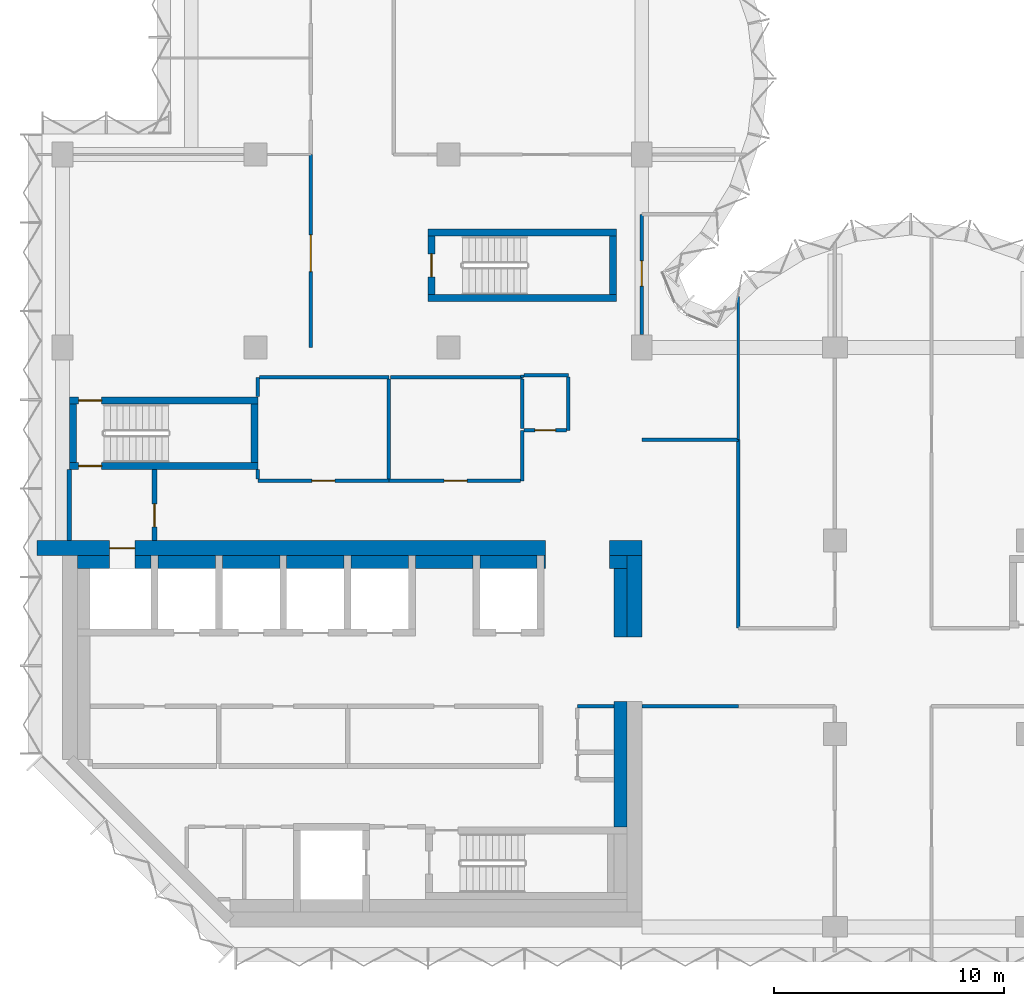
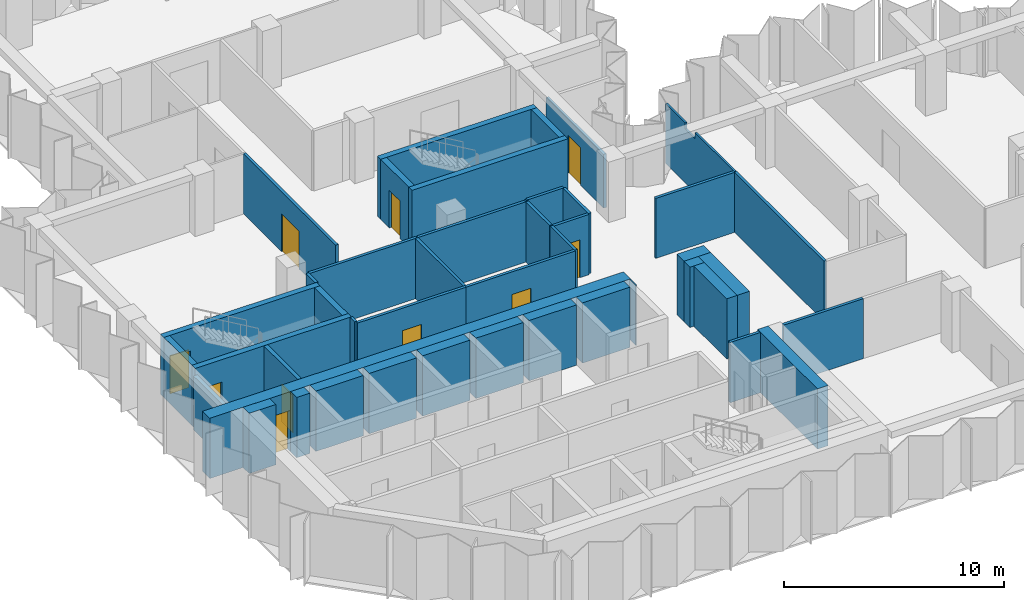
# One storey, part 6 of 10: 45 walls, 10 doors, 10 openings.
"""IFC4 building model written with IfcOpenShell, lengths in metres."""

from ifc_helpers import new_model, si_unit, direction, frame, frame_2d, origin, place, context, subcontext, project, spatial, polyline, rectangle, outline, extrude, material, layer, layer_set, type_object, element, fill, save


model = new_model("IFC4")

# Units and contexts
model_context = context("Model", 3, precision=1e-05, world=origin(), true_north=direction((0.0, 1.0)))
body_context = subcontext(model_context, "Body", "Model", "MODEL_VIEW")
ifc_project = project(units=[si_unit("LENGTHUNIT", "METRE"), si_unit("AREAUNIT", "SQUARE_METRE"), si_unit("VOLUMEUNIT", "CUBIC_METRE"), si_unit("PLANEANGLEUNIT", "RADIAN"), si_unit("MASSUNIT", "GRAM", prefix="KILO")], contexts=[model_context])

# Site, building, storey
site_placement = place(None, origin())
site = spatial("IfcSite", under=ifc_project, at=site_placement, CompositionType="ELEMENT")
building_placement = place(site_placement, origin())
building = spatial("IfcBuilding", under=site, at=building_placement, Name="Brevane Broadcast Tower", CompositionType="ELEMENT")
storey_placement = place(building_placement, frame((0.0, 0.0, 177.60009765625)))
storey = spatial("IfcBuildingStorey", under=building, at=storey_placement, Name="L44", CompositionType="ELEMENT", Elevation=177.60009765625)

# Walls
ifc_material_1 = material(Name="Concrete C32/40", Category="concrete")
ifc_layer_1 = layer(ifc_material_1, 0.550048828125)
ifc_layer_set_1 = layer_set([ifc_layer_1], Name="Core chase wall 550 mm")
wall_type_1 = type_object("IfcWallType", Name="Core chase wall 550 mm", PredefinedType="PARTITIONING", material=ifc_layer_set_1)
wall_1_placement = place(storey_placement, frame((24.27490234375, 12.60009765625, 0.0), z_axis=(0.0, 0.0, 1.0), x_axis=(0.0, 1.0, 0.0)))
element("IfcWall", 1, at=wall_1_placement, inside=storey, type_object=wall_type_1, Name="L44 chase wall LE2", PredefinedType="PARTITIONING", context=body_context, shape_type="SweptSolid", body=[
    extrude(rectangle(XDim=3.0, YDim=0.550048828125, at=frame_2d((1.5, 0.0))), origin(), (0.0, 0.0, 1.0), 3.349853515625),
])
wall_2_placement = place(storey_placement, frame((0.64990234375, 15.875, 0.0), z_axis=(0.0, 0.0, 1.0), x_axis=(1.0, 0.0, 0.0)))
element("IfcWall", 2, at=wall_2_placement, inside=storey, type_object=wall_type_1, Name="L44 chase wall LN0", PredefinedType="PARTITIONING", context=body_context, shape_type="SweptSolid", body=[
    extrude(rectangle(XDim=1.400146484375, YDim=0.550048828125, at=frame_2d((0.7001953125, 0.0))), origin(), (0.0, 0.0, 1.0), 3.349853515625),
])
wall_3_placement = place(storey_placement, frame((23.800048828125, 15.875, 0.0), z_axis=(0.0, 0.0, 1.0), x_axis=(1.0, 0.0, 0.0)))
element("IfcWall", 3, at=wall_3_placement, inside=storey, type_object=wall_type_1, Name="L44 chase wall LN2", PredefinedType="PARTITIONING", context=body_context, shape_type="SweptSolid", body=[
    extrude(rectangle(XDim=0.75, YDim=0.550048828125, at=frame_2d((0.375, 0.0))), origin(), (0.0, 0.0, 1.0), 3.349853515625),
])
wall_4_placement = place(storey_placement, frame((3.14990234375, 15.875, 0.0), z_axis=(0.0, 0.0, 1.0), x_axis=(1.0, 0.0, 0.0)))
element("IfcWall", 4, at=wall_4_placement, inside=storey, type_object=wall_type_1, Name="L44 chase wall LN1-1", PredefinedType="PARTITIONING", context=body_context, shape_type="SweptSolid", body=[
    extrude(rectangle(XDim=0.7001953125, YDim=0.550048828125, at=frame_2d((0.35009765625, 0.0))), origin(), (0.0, 0.0, 1.0), 3.349853515625),
])
for number, where, z_axis, x_axis, name in (
    (5, (4.14990234375, 15.875, 0.0), (0.0, 0.0, 1.0), (1.0, 0.0, 0.0), "L44 chase wall LN1-2-1"),
    (6, (6.949951171875, 15.875, 0.0), (0.0, 0.0, 1.0), (1.0, 0.0, 0.0), "L44 chase wall LN1-2-2-1"),
    (7, (9.75, 15.875, 0.0), (0.0, 0.0, 1.0), (1.0, 0.0, 0.0), "L44 chase wall LN1-2-2-2-1"),
    (8, (12.550048828125, 15.875, 0.0), (0.0, 0.0, 1.0), (1.0, 0.0, 0.0), "L44 chase wall LN1-2-2-2-2-1"),
    (9, (15.35009765625, 15.875, 0.0), (0.0, 0.0, 1.0), (1.0, 0.0, 0.0), "L44 chase wall LN1-2-2-2-2-2-1"),
    (10, (18.14990234375, 15.875, 0.0), (0.0, 0.0, 1.0), (1.0, 0.0, 0.0), "L44 chase wall LN1-2-2-2-2-2-2-1"),
):
    element("IfcWall", number, at=place(storey_placement, frame(where, z_axis=z_axis, x_axis=x_axis)), inside=storey, type_object=wall_type_1, Name=name, PredefinedType="PARTITIONING", context=body_context, shape_type="SweptSolid", body=[
        extrude(rectangle(XDim=2.5, YDim=0.550048828125, at=frame_2d((1.25, 0.0))), origin(), (0.0, 0.0, 1.0), 3.349853515625),
    ])
wall_5_placement = place(storey_placement, frame((20.949951171875, 15.875, 0.0), z_axis=(0.0, 0.0, 1.0), x_axis=(1.0, 0.0, 0.0)))
element("IfcWall", 11, at=wall_5_placement, inside=storey, type_object=wall_type_1, Name="L44 chase wall LN1-2-2-2-2-2-2-2", PredefinedType="PARTITIONING", context=body_context, shape_type="SweptSolid", body=[
    extrude(rectangle(XDim=0.050048828125, YDim=0.550048828125, at=frame_2d((0.02490234375, 0.0))), origin(), (0.0, 0.0, 1.0), 3.349853515625),
])
wall_6_placement = place(storey_placement, frame((24.27490234375, 4.35009765625, 0.0), z_axis=(0.0, 0.0, 1.0), x_axis=(0.0, 1.0, 0.0)))
element("IfcWall", 12, at=wall_6_placement, inside=storey, type_object=wall_type_1, Name="L44 chase wall LE1-2-2", PredefinedType="PARTITIONING", context=body_context, shape_type="SweptSolid", body=[
    extrude(rectangle(XDim=5.449951171875, YDim=0.550048828125, at=frame_2d((2.72509765625, 0.0))), origin(), (0.0, 0.0, 1.0), 3.349853515625),
])

# Wall, opening, door
ifc_material_2 = material(Name="Gypsum board on steel studs", Category="steel")
ifc_layer_2 = layer(ifc_material_2, 0.14990234375)
ifc_layer_set_2 = layer_set([ifc_layer_2], Name="Core fire partition 150 mm")
wall_type_2 = type_object("IfcWallType", Name="Core fire partition 150 mm", PredefinedType="PARTITIONING", material=ifc_layer_set_2)
wall_7_placement = place(storey_placement, frame((14.199951171875, 19.39990234375, 0.0), z_axis=(0.0, 0.0, 1.0), x_axis=(-1.0, 0.0, 0.0)))
wall_7 = element("IfcWall", 13, at=wall_7_placement, inside=storey, type_object=wall_type_2, Name="L44 partition wall P22", PredefinedType="PARTITIONING", context=body_context, shape_type="SweptSolid", body=[
    extrude(rectangle(XDim=5.699951171875, YDim=0.14990234375, at=frame_2d((2.85009765625, 0.0))), origin(), (0.0, 0.0, 1.0), 3.349853515625),
])
opening_1_placement = place(wall_7_placement, frame((2.35009765625, 0.0, 0.0)))
opening_1 = element("IfcOpeningElement", 14, at=opening_1_placement, cuts=wall_7, Name="Opening L44-K24", PredefinedType="OPENING", context=body_context, shape_type="SweptSolid", body=[
    extrude(rectangle(XDim=1.0, YDim=2.10009765625, at=frame_2d((0.5, 1.050048828125))), frame((0.0, 0.0849609375, 0.0), z_axis=(0.0, -1.0, 0.0), x_axis=(1.0, 0.0, 0.0)), (0.0, 0.0, 1.0), 0.169921875),
])
ifc_material_3 = material(Name="Steel", Category="steel")
door_type_1 = type_object("IfcDoorType", Name="Service room door 1000 x 2100", OperationType="SINGLE_SWING_LEFT", PredefinedType="DOOR", material=ifc_material_3)
door_1_placement = place(opening_1_placement, origin())
door_1 = element("IfcDoor", 15, at=door_1_placement, inside=storey, type_object=door_type_1, Name="Door L44-K24", OperationType="SINGLE_SWING_LEFT", OverallHeight=2.10009765625, OverallWidth=1.0, PredefinedType="DOOR", context=body_context, shape_type="SweptSolid", body=[
    extrude(rectangle(XDim=1.0, YDim=2.10009765625, at=frame_2d((0.5, 1.050048828125))), frame((0.0, 0.02490234375, 0.0), z_axis=(0.0, -1.0, 0.0), x_axis=(1.0, 0.0, 0.0)), (0.0, 0.0, 1.0), 0.050048828125),
])
fill(opening_1, door_1)

# Walls
wall_8_placement = place(storey_placement, frame((8.5, 19.47509765625, 0.0), z_axis=(0.0, 0.0, 1.0), x_axis=(0.0, 1.0, 0.0)))
element("IfcWall", 16, at=wall_8_placement, inside=storey, type_object=wall_type_2, Name="L44 partition wall P23", PredefinedType="PARTITIONING", context=body_context, shape_type="SweptSolid", body=[
    extrude(rectangle(XDim=0.412841796875, YDim=0.14990234375, at=frame_2d((0.20654296875, 0.0))), origin(), (0.0, 0.0, 1.0), 3.349853515625),
])
wall_9_placement = place(storey_placement, frame((8.5, 23.06201171875, 0.0), z_axis=(0.0, 0.0, 1.0), x_axis=(0.0, 1.0, 0.0)))
element("IfcWall", 17, at=wall_9_placement, inside=storey, type_object=wall_type_2, Name="L44 partition wall P24", PredefinedType="PARTITIONING", context=body_context, shape_type="SweptSolid", body=[
    extrude(rectangle(XDim=0.837890625, YDim=0.14990234375, at=frame_2d((0.4189453125, 0.0))), origin(), (0.0, 0.0, 1.0), 3.349853515625),
])
wall_10_placement = place(storey_placement, frame((8.574951171875, 23.89990234375, 0.0), z_axis=(0.0, 0.0, 1.0), x_axis=(1.0, 0.0, 0.0)))
element("IfcWall", 18, at=wall_10_placement, inside=storey, type_object=wall_type_2, Name="L44 partition wall P25", PredefinedType="PARTITIONING", context=body_context, shape_type="SweptSolid", body=[
    extrude(rectangle(XDim=5.625, YDim=0.14990234375, at=frame_2d((2.8125, 0.0))), origin(), (0.0, 0.0, 1.0), 3.349853515625),
])
wall_11_placement = place(storey_placement, frame((20.0, 21.60009765625, 0.0), z_axis=(0.0, 0.0, 1.0), x_axis=(0.0, -1.0, 0.0)))
element("IfcWall", 19, at=wall_11_placement, inside=storey, type_object=wall_type_2, Name="L44 partition wall P26", PredefinedType="PARTITIONING", context=body_context, shape_type="SweptSolid", body=[
    extrude(rectangle(XDim=2.2001953125, YDim=0.14990234375, at=frame_2d((1.10009765625, 0.0))), origin(), (0.0, 0.0, 1.0), 3.349853515625),
])

# Wall, opening, door
wall_12_placement = place(storey_placement, frame((19.925048828125, 19.39990234375, 0.0), z_axis=(0.0, 0.0, 1.0), x_axis=(-1.0, 0.0, 0.0)))
wall_12 = element("IfcWall", 20, at=wall_12_placement, inside=storey, type_object=wall_type_2, Name="L44 partition wall P27", PredefinedType="PARTITIONING", context=body_context, shape_type="SweptSolid", body=[
    extrude(rectangle(XDim=5.72509765625, YDim=0.14990234375, at=frame_2d((2.862548828125, 0.0))), origin(), (0.0, 0.0, 1.0), 3.349853515625),
])
opening_2_placement = place(wall_12_placement, frame((2.324951171875, 0.0, 0.0)))
opening_2 = element("IfcOpeningElement", 21, at=opening_2_placement, cuts=wall_12, Name="Opening L44-K25", PredefinedType="OPENING", context=body_context, shape_type="SweptSolid", body=[
    extrude(rectangle(XDim=1.0, YDim=2.10009765625, at=frame_2d((0.5, 1.050048828125))), frame((0.0, 0.0849609375, 0.0), z_axis=(0.0, -1.0, 0.0), x_axis=(1.0, 0.0, 0.0)), (0.0, 0.0, 1.0), 0.169921875),
])
door_2_placement = place(opening_2_placement, origin())
door_2 = element("IfcDoor", 22, at=door_2_placement, inside=storey, type_object=door_type_1, Name="Door L44-K25", OperationType="SINGLE_SWING_RIGHT", OverallHeight=2.10009765625, OverallWidth=1.0, PredefinedType="DOOR", context=body_context, shape_type="SweptSolid", body=[
    extrude(rectangle(XDim=1.0, YDim=2.10009765625, at=frame_2d((0.5, 1.050048828125))), frame((0.0, 0.02490234375, 0.0), z_axis=(0.0, -1.0, 0.0), x_axis=(1.0, 0.0, 0.0)), (0.0, 0.0, 1.0), 0.050048828125),
])
fill(opening_2, door_2)

# Walls
wall_13_placement = place(storey_placement, frame((14.199951171875, 23.824951171875, 0.0), z_axis=(0.0, 0.0, 1.0), x_axis=(0.0, -1.0, 0.0)))
element("IfcWall", 23, at=wall_13_placement, inside=storey, type_object=wall_type_2, Name="L44 partition wall P28", PredefinedType="PARTITIONING", context=body_context, shape_type="SweptSolid", body=[
    extrude(rectangle(XDim=4.349853515625, YDim=0.14990234375, at=frame_2d((2.1748046875, 0.0))), origin(), (0.0, 0.0, 1.0), 3.349853515625),
])
wall_14_placement = place(storey_placement, frame((14.27490234375, 23.89990234375, 0.0), z_axis=(0.0, 0.0, 1.0), x_axis=(1.0, 0.0, 0.0)))
element("IfcWall", 24, at=wall_14_placement, inside=storey, type_object=wall_type_2, Name="L44 partition wall P29", PredefinedType="PARTITIONING", context=body_context, shape_type="SweptSolid", body=[
    extrude(rectangle(XDim=5.72509765625, YDim=0.14990234375, at=frame_2d((2.862548828125, 0.0))), origin(), (0.0, 0.0, 1.0), 3.349853515625),
])
wall_15_placement = place(storey_placement, frame((20.0, 23.89990234375, 0.0), z_axis=(0.0, 0.0, 1.0), x_axis=(0.0, 1.0, 0.0)))
element("IfcWall", 25, at=wall_15_placement, inside=storey, type_object=wall_type_2, Name="L44 partition wall P30", PredefinedType="PARTITIONING", context=body_context, shape_type="SweptSolid", body=[
    extrude(rectangle(XDim=0.10009765625, YDim=0.14990234375, at=frame_2d((0.050048828125, 0.0))), origin(), (0.0, 0.0, 1.0), 3.349853515625),
])
wall_16_placement = place(storey_placement, frame((20.074951171875, 24.0, 0.0), z_axis=(0.0, 0.0, 1.0), x_axis=(1.0, 0.0, 0.0)))
element("IfcWall", 26, at=wall_16_placement, inside=storey, type_object=wall_type_2, Name="L44 partition wall P31", PredefinedType="PARTITIONING", context=body_context, shape_type="SweptSolid", body=[
    extrude(rectangle(XDim=1.925048828125, YDim=0.14990234375, at=frame_2d((0.96240234375, 0.0))), origin(), (0.0, 0.0, 1.0), 3.349853515625),
])
wall_17_placement = place(storey_placement, frame((22.0, 23.925048828125, 0.0), z_axis=(0.0, 0.0, 1.0), x_axis=(0.0, -1.0, 0.0)))
element("IfcWall", 27, at=wall_17_placement, inside=storey, type_object=wall_type_2, Name="L44 partition wall P32", PredefinedType="PARTITIONING", context=body_context, shape_type="SweptSolid", body=[
    extrude(rectangle(XDim=2.324951171875, YDim=0.14990234375, at=frame_2d((1.16259765625, 0.0))), origin(), (0.0, 0.0, 1.0), 3.349853515625),
])

# Wall, opening, door
wall_18_placement = place(storey_placement, frame((21.925048828125, 21.60009765625, 0.0), z_axis=(0.0, 0.0, 1.0), x_axis=(-1.0, 0.0, 0.0)))
wall_18 = element("IfcWall", 28, at=wall_18_placement, inside=storey, type_object=wall_type_2, Name="L44 partition wall P33", PredefinedType="PARTITIONING", context=body_context, shape_type="SweptSolid", body=[
    extrude(rectangle(XDim=1.85009765625, YDim=0.14990234375, at=frame_2d((0.925048828125, 0.0))), origin(), (0.0, 0.0, 1.0), 3.349853515625),
])
opening_3_placement = place(wall_18_placement, frame((0.47509765625, 0.0, 0.0)))
opening_3 = element("IfcOpeningElement", 29, at=opening_3_placement, cuts=wall_18, Name="Opening L44-K23", PredefinedType="OPENING", context=body_context, shape_type="SweptSolid", body=[
    extrude(rectangle(XDim=0.89990234375, YDim=2.10009765625, at=frame_2d((0.449951171875, 1.050048828125))), frame((0.0, 0.0849609375, 0.0), z_axis=(0.0, -1.0, 0.0), x_axis=(1.0, 0.0, 0.0)), (0.0, 0.0, 1.0), 0.169921875),
])
ifc_material_4 = material(Name="Timber", Category="wood")
door_type_2 = type_object("IfcDoorType", Name="Toilet door 900 x 2100", OperationType="SINGLE_SWING_LEFT", PredefinedType="DOOR", material=ifc_material_4)
door_3_placement = place(opening_3_placement, origin())
door_3 = element("IfcDoor", 30, at=door_3_placement, inside=storey, type_object=door_type_2, Name="Door L44-K23", OperationType="SINGLE_SWING_RIGHT", OverallHeight=2.10009765625, OverallWidth=0.89990234375, PredefinedType="DOOR", context=body_context, shape_type="SweptSolid", body=[
    extrude(rectangle(XDim=0.89990234375, YDim=2.10009765625, at=frame_2d((0.449951171875, 1.050048828125))), frame((0.0, 0.02490234375, 0.0), z_axis=(0.0, -1.0, 0.0), x_axis=(1.0, 0.0, 0.0)), (0.0, 0.0, 1.0), 0.050048828125),
])
fill(opening_3, door_3)

# Walls
wall_19_placement = place(storey_placement, frame((20.0, 21.675048828125, 0.0), z_axis=(0.0, 0.0, 1.0), x_axis=(0.0, 1.0, 0.0)))
element("IfcWall", 31, at=wall_19_placement, inside=storey, type_object=wall_type_2, Name="L44 partition wall P34", PredefinedType="PARTITIONING", context=body_context, shape_type="SweptSolid", body=[
    extrude(rectangle(XDim=2.14990234375, YDim=0.14990234375, at=frame_2d((1.074951171875, 0.0))), origin(), (0.0, 0.0, 1.0), 3.349853515625),
])
wall_20_placement = place(storey_placement, frame((23.988037109375, 9.60009765625, 0.0), z_axis=(0.0, 0.0, 1.0), x_axis=(-1.0, 0.0, 0.0)))
element("IfcWall", 32, at=wall_20_placement, inside=storey, type_object=wall_type_2, Name="L44 partition wall P35", PredefinedType="PARTITIONING", context=body_context, shape_type="SweptSolid", body=[
    extrude(rectangle(XDim=1.588134765625, YDim=0.14990234375, at=frame_2d((0.7939453125, 0.0))), origin(), (0.0, 0.0, 1.0), 3.349853515625),
])
ifc_layer_3 = layer(ifc_material_2, 0.199951171875)
ifc_layer_set_3 = layer_set([ifc_layer_3], Name="Core fire partition 200 mm")
wall_type_3 = type_object("IfcWallType", Name="Core fire partition 200 mm", PredefinedType="PARTITIONING", material=ifc_layer_set_3)
wall_21_placement = place(storey_placement, frame((0.300048828125, 16.81201171875, 0.0), z_axis=(0.0, 0.0, 1.0), x_axis=(0.0, 1.0, 0.0)))
element("IfcWall", 33, at=wall_21_placement, inside=storey, type_object=wall_type_3, Name="L44 partition wall P01", PredefinedType="PARTITIONING", context=body_context, shape_type="SweptSolid", body=[
    extrude(rectangle(XDim=3.075927734375, YDim=0.199951171875, at=frame_2d((1.5380859375, 0.0))), origin(), (0.0, 0.0, 1.0), 2.97998046875),
])

# Wall, opening, door
wall_22_placement = place(storey_placement, frame((4.0, 19.887939453125, 0.0), z_axis=(0.0, 0.0, 1.0), x_axis=(0.0, -1.0, 0.0)))
wall_22 = element("IfcWall", 34, at=wall_22_placement, inside=storey, type_object=wall_type_3, Name="L44 partition wall P02", PredefinedType="PARTITIONING", context=body_context, shape_type="SweptSolid", body=[
    extrude(rectangle(XDim=3.075927734375, YDim=0.199951171875, at=frame_2d((1.5380859375, 0.0))), origin(), (0.0, 0.0, 1.0), 3.349853515625),
])
opening_4_placement = place(wall_22_placement, frame((1.488037109375, 0.0, 0.0)))
opening_4 = element("IfcOpeningElement", 35, at=opening_4_placement, cuts=wall_22, Name="Opening L44-K22", PredefinedType="OPENING", context=body_context, shape_type="SweptSolid", body=[
    extrude(rectangle(XDim=1.0, YDim=2.10009765625, at=frame_2d((0.5, 1.050048828125))), frame((0.0, 0.10986328125, 0.0), z_axis=(0.0, -1.0, 0.0), x_axis=(1.0, 0.0, 0.0)), (0.0, 0.0, 1.0), 0.219970703125),
])
door_type_3 = type_object("IfcDoorType", Name="Stair door 1000 x 2100", OperationType="SINGLE_SWING_LEFT", PredefinedType="DOOR", material=ifc_material_3)
door_4_placement = place(opening_4_placement, origin())
door_4 = element("IfcDoor", 36, at=door_4_placement, inside=storey, type_object=door_type_3, Name="Door L44-K22", OperationType="SINGLE_SWING_LEFT", OverallHeight=2.10009765625, OverallWidth=1.0, PredefinedType="DOOR", context=body_context, shape_type="SweptSolid", body=[
    extrude(rectangle(XDim=1.0, YDim=2.10009765625, at=frame_2d((0.5, 1.050048828125))), frame((0.0, 0.02490234375, 0.0), z_axis=(0.0, -1.0, 0.0), x_axis=(1.0, 0.0, 0.0)), (0.0, 0.0, 1.0), 0.050048828125),
])
fill(opening_4, door_4)

ifc_material_5 = material(Name="Concrete C60/75", Category="concrete")
ifc_layer_4 = layer(ifc_material_5, 0.300048828125)
ifc_layer_set_4 = layer_set([ifc_layer_4], Name="Core wall 300 mm C60/75")
wall_type_4 = type_object("IfcWallType", Name="Core wall 300 mm C60/75", PredefinedType="SHEAR", material=ifc_layer_set_4)
wall_23_placement = place(storey_placement, frame((8.5, 20.050048828125, 0.0), z_axis=(0.0, 0.0, 1.0), x_axis=(-1.0, 0.0, 0.0)))
wall_23 = element("IfcWall", 37, at=wall_23_placement, inside=storey, type_object=wall_type_4, Name="L44 stair wall ST-1-S", PredefinedType="SHEAR", context=body_context, shape_type="SweptSolid", body=[
    extrude(rectangle(XDim=8.199951171875, YDim=0.300048828125, at=frame_2d((4.10009765625, 0.0))), origin(), (0.0, 0.0, 1.0), 3.349853515625),
])
opening_5_placement = place(wall_23_placement, frame((6.800048828125, 0.0, 0.0)))
opening_5 = element("IfcOpeningElement", 38, at=opening_5_placement, cuts=wall_23, Name="Opening L44-K08", PredefinedType="OPENING", context=body_context, shape_type="SweptSolid", body=[
    extrude(rectangle(XDim=1.0, YDim=2.10009765625, at=frame_2d((0.5, 1.050048828125))), frame((0.0, 0.159912109375, 0.0), z_axis=(0.0, -1.0, 0.0), x_axis=(1.0, 0.0, 0.0)), (0.0, 0.0, 1.0), 0.320068359375),
])
door_5_placement = place(opening_5_placement, origin())
door_5 = element("IfcDoor", 39, at=door_5_placement, inside=storey, type_object=door_type_3, Name="Door L44-K08", OperationType="SINGLE_SWING_LEFT", OverallHeight=2.10009765625, OverallWidth=1.0, PredefinedType="DOOR", context=body_context, shape_type="SweptSolid", body=[
    extrude(rectangle(XDim=1.0, YDim=2.10009765625, at=frame_2d((0.5, 1.050048828125))), frame((0.0, 0.02490234375, 0.0), z_axis=(0.0, -1.0, 0.0), x_axis=(1.0, 0.0, 0.0)), (0.0, 0.0, 1.0), 0.050048828125),
])
fill(opening_5, door_5)

wall_24_placement = place(storey_placement, frame((0.300048828125, 22.89990234375, 0.0), z_axis=(0.0, 0.0, 1.0), x_axis=(1.0, 0.0, 0.0)))
wall_24 = element("IfcWall", 40, at=wall_24_placement, inside=storey, type_object=wall_type_4, Name="L44 stair wall ST-1-N", PredefinedType="SHEAR", context=body_context, shape_type="SweptSolid", body=[
    extrude(rectangle(XDim=8.199951171875, YDim=0.300048828125, at=frame_2d((4.10009765625, 0.0))), origin(), (0.0, 0.0, 1.0), 3.349853515625),
])
opening_6_placement = place(wall_24_placement, frame((0.39990234375, 0.0, 0.0)))
opening_6 = element("IfcOpeningElement", 41, at=opening_6_placement, cuts=wall_24, Name="Opening L44-K09", PredefinedType="OPENING", context=body_context, shape_type="SweptSolid", body=[
    extrude(rectangle(XDim=1.0, YDim=2.10009765625, at=frame_2d((0.5, 1.050048828125))), frame((0.0, 0.159912109375, 0.0), z_axis=(0.0, -1.0, 0.0), x_axis=(1.0, 0.0, 0.0)), (0.0, 0.0, 1.0), 0.320068359375),
])
door_6_placement = place(opening_6_placement, origin())
door_6 = element("IfcDoor", 42, at=door_6_placement, inside=storey, type_object=door_type_3, Name="Door L44-K09", OperationType="SINGLE_SWING_RIGHT", OverallHeight=2.10009765625, OverallWidth=1.0, PredefinedType="DOOR", context=body_context, shape_type="SweptSolid", body=[
    extrude(rectangle(XDim=1.0, YDim=2.10009765625, at=frame_2d((0.5, 1.050048828125))), frame((0.0, 0.02490234375, 0.0), z_axis=(0.0, -1.0, 0.0), x_axis=(1.0, 0.0, 0.0)), (0.0, 0.0, 1.0), 0.050048828125),
])
fill(opening_6, door_6)

# Walls
for number, where, z_axis, x_axis, name in (
    (43, (0.449951171875, 20.199951171875, 0.0), (0.0, 0.0, 1.0), (0.0, 1.0, 0.0), "L44 stair wall ST-1-W"),
    (44, (8.35009765625, 20.199951171875, 0.0), (0.0, 0.0, 1.0), (0.0, 1.0, 0.0), "L44 stair wall ST-1-E"),
):
    element("IfcWall", number, at=place(storey_placement, frame(where, z_axis=z_axis, x_axis=x_axis)), inside=storey, type_object=wall_type_4, Name=name, PredefinedType="SHEAR", context=body_context, shape_type="SweptSolid", body=[
        extrude(rectangle(XDim=2.550048828125, YDim=0.300048828125, at=frame_2d((1.27490234375, 0.0))), origin(), (0.0, 0.0, 1.0), 3.349853515625),
    ])
for number, where, z_axis, x_axis, name in (
    (45, (15.89990234375, 27.35009765625, 0.0), (0.0, 0.0, 1.0), (1.0, 0.0, 0.0), "L44 stair wall ST-3-S"),
    (46, (15.89990234375, 30.199951171875, 0.0), (0.0, 0.0, 1.0), (1.0, 0.0, 0.0), "L44 stair wall ST-3-N"),
):
    element("IfcWall", number, at=place(storey_placement, frame(where, z_axis=z_axis, x_axis=x_axis)), inside=storey, type_object=wall_type_4, Name=name, PredefinedType="SHEAR", context=body_context, shape_type="SweptSolid", body=[
        extrude(rectangle(XDim=8.2001953125, YDim=0.300048828125, at=frame_2d((4.10009765625, 0.0))), origin(), (0.0, 0.0, 1.0), 3.349853515625),
    ])

# Wall, opening, door
wall_25_placement = place(storey_placement, frame((16.050048828125, 27.5, 0.0), z_axis=(0.0, 0.0, 1.0), x_axis=(0.0, 1.0, 0.0)))
wall_25 = element("IfcWall", 47, at=wall_25_placement, inside=storey, type_object=wall_type_4, Name="L44 stair wall ST-3-W", PredefinedType="SHEAR", context=body_context, shape_type="SweptSolid", body=[
    extrude(rectangle(XDim=2.550048828125, YDim=0.300048828125, at=frame_2d((1.27490234375, 0.0))), origin(), (0.0, 0.0, 1.0), 3.349853515625),
])
opening_7_placement = place(wall_25_placement, frame((0.77490234375, 0.0, 0.0)))
opening_7 = element("IfcOpeningElement", 48, at=opening_7_placement, cuts=wall_25, Name="Opening L44-K12", PredefinedType="OPENING", context=body_context, shape_type="SweptSolid", body=[
    extrude(rectangle(XDim=1.0, YDim=2.10009765625, at=frame_2d((0.5, 1.050048828125))), frame((0.0, 0.159912109375, 0.0), z_axis=(0.0, -1.0, 0.0), x_axis=(1.0, 0.0, 0.0)), (0.0, 0.0, 1.0), 0.320068359375),
])
door_7_placement = place(opening_7_placement, origin())
door_7 = element("IfcDoor", 49, at=door_7_placement, inside=storey, type_object=door_type_3, Name="Door L44-K12", OperationType="SINGLE_SWING_LEFT", OverallHeight=2.10009765625, OverallWidth=1.0, PredefinedType="DOOR", context=body_context, shape_type="SweptSolid", body=[
    extrude(rectangle(XDim=1.0, YDim=2.10009765625, at=frame_2d((0.5, 1.050048828125))), frame((0.0, 0.02490234375, 0.0), z_axis=(0.0, -1.0, 0.0), x_axis=(1.0, 0.0, 0.0)), (0.0, 0.0, 1.0), 0.050048828125),
])
fill(opening_7, door_7)

# Wall
wall_26_placement = place(storey_placement, frame((23.949951171875, 27.5, 0.0), z_axis=(0.0, 0.0, 1.0), x_axis=(0.0, 1.0, 0.0)))
element("IfcWall", 50, at=wall_26_placement, inside=storey, type_object=wall_type_4, Name="L44 stair wall ST-3-E", PredefinedType="SHEAR", context=body_context, shape_type="SweptSolid", body=[
    extrude(rectangle(XDim=2.550048828125, YDim=0.300048828125, at=frame_2d((1.27490234375, 0.0))), origin(), (0.0, 0.0, 1.0), 3.349853515625),
])

# Wall, opening, door
ifc_layer_5 = layer(ifc_material_5, 0.64990234375)
ifc_layer_set_5 = layer_set([ifc_layer_5], Name="Core wall 650 mm C60/75")
wall_type_5 = type_object("IfcWallType", Name="Core wall 650 mm C60/75", PredefinedType="SHEAR", material=ifc_layer_set_5)
wall_27_placement = place(storey_placement, frame((-1.10009765625, 16.47509765625, 0.0), z_axis=(0.0, 0.0, 1.0), x_axis=(1.0, 0.0, 0.0)))
wall_27 = element("IfcWall", 51, at=wall_27_placement, inside=storey, type_object=wall_type_5, Name="L44 outer wall WN1", PredefinedType="SHEAR", context=body_context, shape_type="SweptSolid", body=[
    extrude(rectangle(XDim=22.10009765625, YDim=0.64990234375, at=frame_2d((11.050048828125, 0.0))), origin(), (0.0, 0.0, 1.0), 3.349853515625),
])
opening_8_placement = place(wall_27_placement, frame((3.14990234375, 0.0, 0.0)))
opening_8 = element("IfcOpeningElement", 52, at=opening_8_placement, cuts=wall_27, Name="Opening LD", PredefinedType="OPENING", context=body_context, shape_type="SweptSolid", body=[
    extrude(rectangle(XDim=1.10009765625, YDim=2.300048828125, at=frame_2d((0.550048828125, 1.14990234375))), frame((0.0, 0.3349609375, 0.0), z_axis=(0.0, -1.0, 0.0), x_axis=(1.0, 0.0, 0.0)), (0.0, 0.0, 1.0), 0.669921875),
])
ifc_material_6 = material(Name="Stainless steel", Category="steel")
door_type_4 = type_object("IfcDoorType", Name="Lift landing door", OperationType="SLIDING_TO_LEFT", PredefinedType="DOOR", material=ifc_material_6)
door_8_placement = place(opening_8_placement, origin())
door_8 = element("IfcDoor", 53, at=door_8_placement, inside=storey, type_object=door_type_4, Name="Landing door FF1 L44", OperationType="SLIDING_TO_LEFT", OverallHeight=2.300048828125, OverallWidth=1.10009765625, PredefinedType="DOOR", context=body_context, shape_type="SweptSolid", body=[
    extrude(rectangle(XDim=1.10009765625, YDim=2.300048828125, at=frame_2d((0.550048828125, 1.14990234375))), frame((0.0, 0.02490234375, 0.0), z_axis=(0.0, -1.0, 0.0), x_axis=(1.0, 0.0, 0.0)), (0.0, 0.0, 1.0), 0.050048828125),
])
fill(opening_8, door_8)

# Walls
wall_28_placement = place(storey_placement, frame((23.800048828125, 16.47509765625, 0.0), z_axis=(0.0, 0.0, 1.0), x_axis=(1.0, 0.0, 0.0)))
element("IfcWall", 54, at=wall_28_placement, inside=storey, type_object=wall_type_5, Name="L44 outer wall WN2", PredefinedType="SHEAR", context=body_context, shape_type="SweptSolid", body=[
    extrude(rectangle(XDim=1.39990234375, YDim=0.64990234375, at=frame_2d((0.699951171875, 0.0))), origin(), (0.0, 0.0, 1.0), 3.349853515625),
])
wall_29_placement = place(storey_placement, frame((24.875, 12.60009765625, 0.0), z_axis=(0.0, 0.0, 1.0), x_axis=(0.0, 1.0, 0.0)))
element("IfcWall", 55, at=wall_29_placement, inside=storey, type_object=wall_type_5, Name="L44 outer wall WE2", PredefinedType="SHEAR", context=body_context, shape_type="SweptSolid", body=[
    extrude(rectangle(XDim=3.5498046875, YDim=0.64990234375, at=frame_2d((1.77490234375, 0.0))), origin(), (0.0, 0.0, 1.0), 3.349853515625),
])
ifc_material_7 = material(Name="Gypsum board partition")
ifc_layer_6 = layer(ifc_material_7, 0.10009765625)
ifc_layer_set_6 = layer_set([ifc_layer_6], Name="PARTITION 100 STUD")
wall_type_6 = type_object("IfcWallType", Name="PARTITION 100 STUD", PredefinedType="PARTITIONING", material=ifc_layer_set_6)
wall_30_placement = place(storey_placement, frame((29.39990234375, 27.428955078125, 0.0), z_axis=(0.0, 0.0, 1.0), x_axis=(0.0, -1.0, 0.0)))
element("IfcWall", 56, at=wall_30_placement, inside=storey, type_object=wall_type_6, Name="Partition G13-004", PredefinedType="PARTITIONING", context=body_context, shape_type="SweptSolid", body=[
    extrude(outline(polyline([(0.0, 0.0), (6.22900390625, 0.0), (6.22900390625, 3.329833984375), (2.678955078125, 3.329833984375), (2.677001953125, 2.97998046875), (1.781005859375, 2.97998046875), (1.779052734375, 3.329833984375), (0.154052734375, 3.329833984375), (0.0, 3.329833984375), (0.0, 0.0)])), frame((0.0, 0.050048828125, 0.0), z_axis=(0.0, -1.0, 0.0), x_axis=(1.0, 0.0, 0.0)), (0.0, 0.0, 1.0), 0.10009765625),
])
ifc_layer_7 = layer(ifc_material_7, 0.14990234375)
ifc_layer_set_7 = layer_set([ifc_layer_7], Name="PARTITION 150 EI 60")
wall_type_7 = type_object("IfcWallType", Name="PARTITION 150 EI 60", PredefinedType="PARTITIONING", material=ifc_layer_set_7)
for number, where, z_axis, x_axis, name in (
    (57, (25.199951171875, 21.199951171875, 0.0), (0.0, 0.0, 1.0), (1.0, 0.0, 0.0), "Partition G13-001"),
    (58, (29.39990234375, 9.60009765625, 0.0), (0.0, 0.0, 1.0), (-1.0, 0.0, 0.0), "Partition G13-002"),
):
    element("IfcWall", number, at=place(storey_placement, frame(where, z_axis=z_axis, x_axis=x_axis)), inside=storey, type_object=wall_type_7, Name=name, PredefinedType="PARTITIONING", context=body_context, shape_type="SweptSolid", body=[
        extrude(rectangle(XDim=4.199951171875, YDim=0.14990234375, at=frame_2d((2.10009765625, 0.0))), origin(), (0.0, 0.0, 1.0), 3.329833984375),
    ])
wall_31_placement = place(storey_placement, frame((29.39990234375, 21.199951171875, 0.0), z_axis=(0.0, 0.0, 1.0), x_axis=(0.0, -1.0, 0.0)))
element("IfcWall", 59, at=wall_31_placement, inside=storey, type_object=wall_type_7, Name="Partition G13-003", PredefinedType="PARTITIONING", context=body_context, shape_type="SweptSolid", body=[
    extrude(rectangle(XDim=8.199951171875, YDim=0.14990234375, at=frame_2d((4.10009765625, 0.0))), origin(), (0.0, 0.0, 1.0), 3.329833984375),
])

# Wall, opening, door
wall_32_placement = place(storey_placement, frame((25.199951171875, 31.0, 0.0), z_axis=(0.0, 0.0, 1.0), x_axis=(0.0, -1.0, 0.0)))
wall_32 = element("IfcWall", 60, at=wall_32_placement, inside=storey, type_object=wall_type_7, Name="Partition G13-005", PredefinedType="PARTITIONING", context=body_context, shape_type="SweptSolid", body=[
    extrude(outline(polyline([(0.0, 0.0), (5.22998046875, 0.0), (5.22998046875, 2.97998046875), (0.0, 2.97998046875), (0.0, 0.0)])), frame((0.0, 0.074951171875, 0.0), z_axis=(0.0, -1.0, 0.0), x_axis=(1.0, 0.0, 0.0)), (0.0, 0.0, 1.0), 0.14990234375),
])
opening_9_placement = place(wall_32_placement, frame((2.030029296875, 0.0, 0.0)))
opening_9 = element("IfcOpeningElement", 61, at=opening_9_placement, cuts=wall_32, Name="Opening D22-001", PredefinedType="OPENING", context=body_context, shape_type="SweptSolid", body=[
    extrude(rectangle(XDim=1.10009765625, YDim=2.10009765625, at=frame_2d((0.550048828125, 1.050048828125))), frame((0.0, 0.0849609375, 0.0), z_axis=(0.0, -1.0, 0.0), x_axis=(1.0, 0.0, 0.0)), (0.0, 0.0, 1.0), 0.169921875),
])
ifc_material_8 = material(Name="Fire-rated timber door leaf", Category="wood")
door_type_5 = type_object("IfcDoorType", Name="DOOR SINGLE 1100 FD30S", OperationType="SINGLE_SWING_LEFT", PredefinedType="DOOR", material=ifc_material_8)
door_9_placement = place(opening_9_placement, origin())
door_9 = element("IfcDoor", 62, at=door_9_placement, inside=storey, type_object=door_type_5, Name="Door D22-001", OperationType="SINGLE_SWING_RIGHT", OverallHeight=2.10009765625, OverallWidth=1.10009765625, PredefinedType="DOOR", context=body_context, shape_type="SweptSolid", body=[
    extrude(rectangle(XDim=1.10009765625, YDim=2.10009765625, at=frame_2d((0.550048828125, 1.050048828125))), frame((0.0, 0.02490234375, 0.0), z_axis=(0.0, -1.0, 0.0), x_axis=(1.0, 0.0, 0.0)), (0.0, 0.0, 1.0), 0.050048828125),
])
fill(opening_9, door_9)

wall_33_placement = place(storey_placement, frame((10.800048828125, 25.199951171875, 0.0), z_axis=(0.0, 0.0, 1.0), x_axis=(0.0, 1.0, 0.0)))
wall_33 = element("IfcWall", 63, at=wall_33_placement, inside=storey, type_object=wall_type_7, Name="Partition G13-034", PredefinedType="PARTITIONING", context=body_context, shape_type="SweptSolid", body=[
    extrude(rectangle(XDim=8.400146484375, YDim=0.14990234375, at=frame_2d((4.2001953125, 0.0))), origin(), (0.0, 0.0, 1.0), 3.329833984375),
])
opening_10_placement = place(wall_33_placement, frame((3.300048828125, 0.0, 0.0)))
opening_10 = element("IfcOpeningElement", 64, at=opening_10_placement, cuts=wall_33, Name="Opening D22-013", PredefinedType="OPENING", context=body_context, shape_type="SweptSolid", body=[
    extrude(rectangle(XDim=1.60009765625, YDim=2.10009765625, at=frame_2d((0.800048828125, 1.050048828125))), frame((0.0, 0.0849609375, 0.0), z_axis=(0.0, -1.0, 0.0), x_axis=(1.0, 0.0, 0.0)), (0.0, 0.0, 1.0), 0.169921875),
])
door_type_6 = type_object("IfcDoorType", Name="DOOR DOUBLE 1600 FD30S", OperationType="DOUBLE_DOOR_SINGLE_SWING", PredefinedType="DOOR", material=ifc_material_8)
door_10_placement = place(opening_10_placement, origin())
door_10 = element("IfcDoor", 65, at=door_10_placement, inside=storey, type_object=door_type_6, Name="Door D22-013", OperationType="DOUBLE_DOOR_SINGLE_SWING", OverallHeight=2.10009765625, OverallWidth=1.60009765625, PredefinedType="DOOR", context=body_context, shape_type="SweptSolid", body=[
    extrude(rectangle(XDim=1.60009765625, YDim=2.10009765625, at=frame_2d((0.800048828125, 1.050048828125))), frame((0.0, 0.02490234375, 0.0), z_axis=(0.0, -1.0, 0.0), x_axis=(1.0, 0.0, 0.0)), (0.0, 0.0, 1.0), 0.050048828125),
])
fill(opening_10, door_10)

save(model, "model.ifc")
